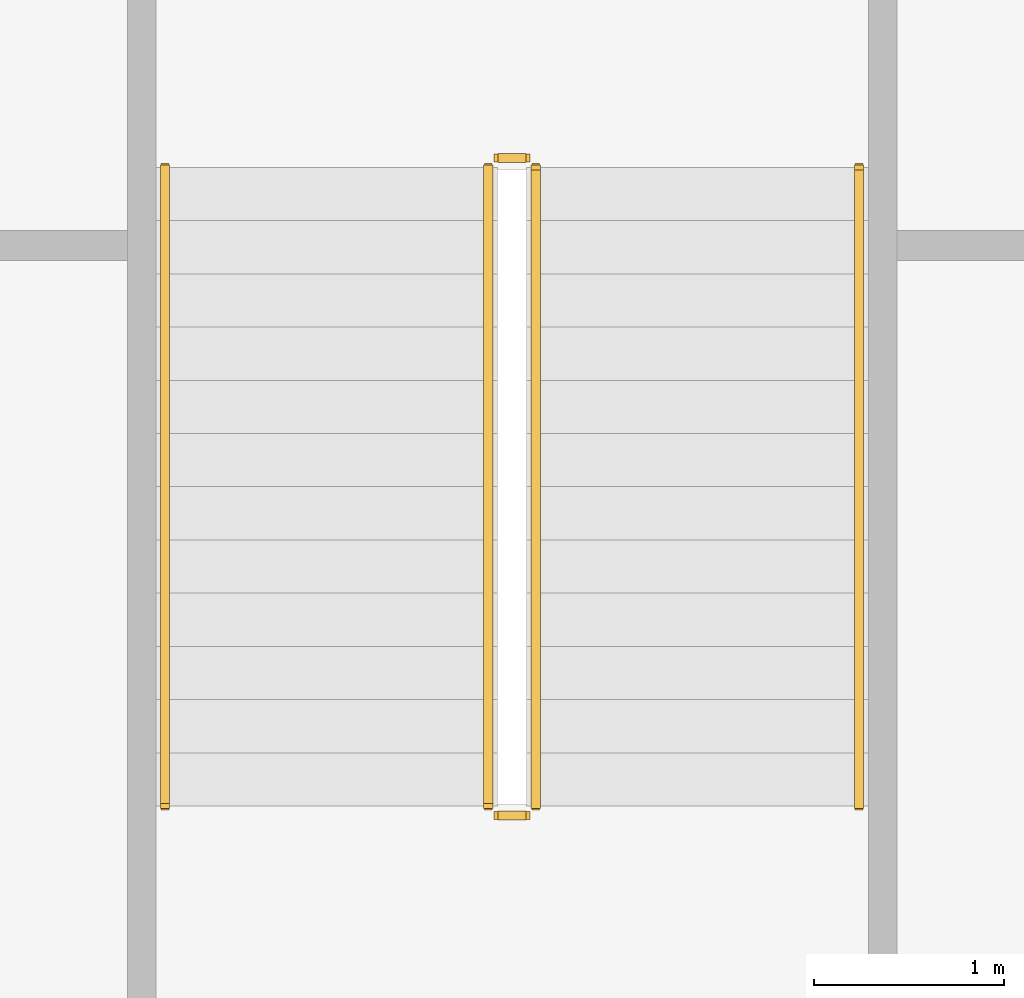
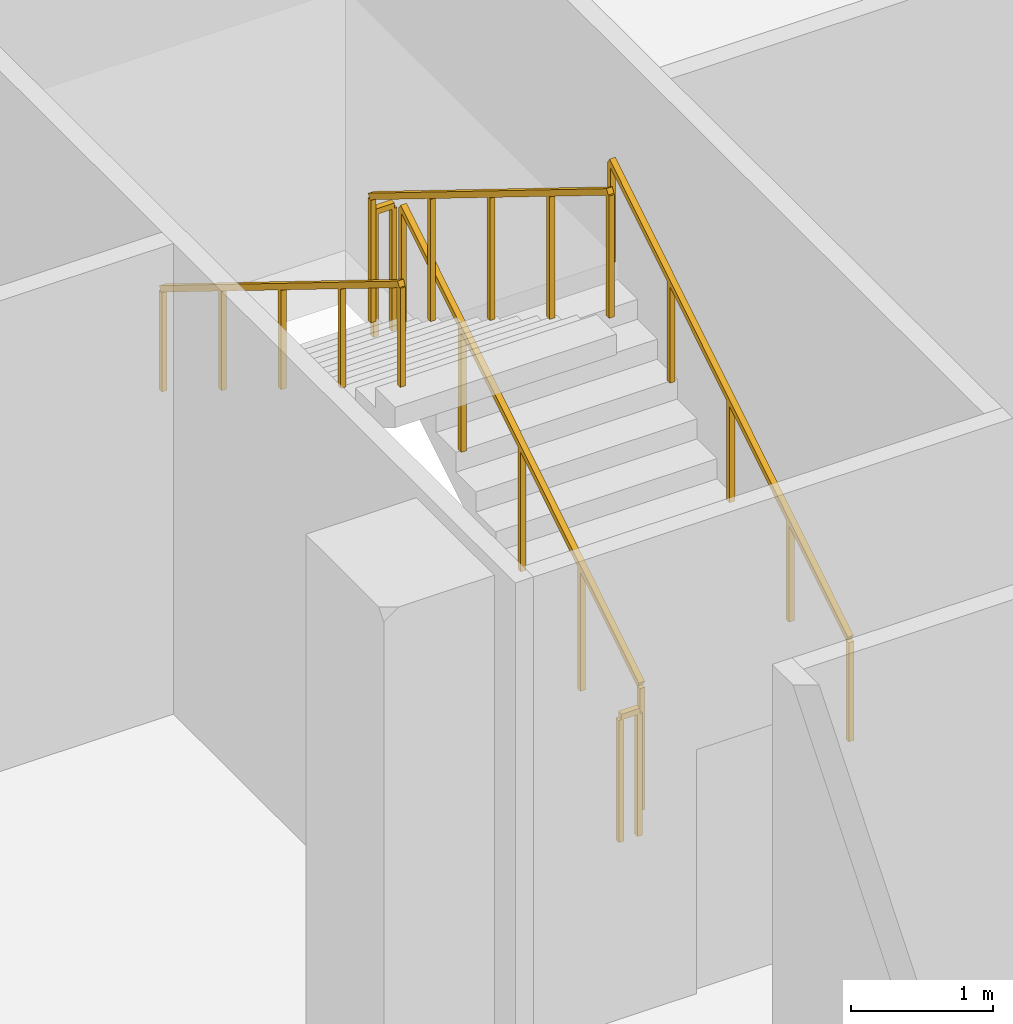
# One storey, part 13 of 16: 6 railings.
"""IFC4 building model written with IfcOpenShell, lengths in metres."""

from ifc_helpers import new_model, si_unit, direction, frame, origin, origin_2d, place, context, subcontext, project, spatial, rectangle, extrude, material, type_object, element, save


model = new_model("IFC4")

# Units and contexts
model_context = context("Model", 3, precision=1e-05, world=origin(), true_north=direction((0.0, 1.0)))
body_context = subcontext(model_context, "Body", "Model", "MODEL_VIEW")
ifc_project = project(units=[si_unit("LENGTHUNIT", "METRE"), si_unit("AREAUNIT", "SQUARE_METRE"), si_unit("VOLUMEUNIT", "CUBIC_METRE"), si_unit("PLANEANGLEUNIT", "RADIAN"), si_unit("MASSUNIT", "GRAM", prefix="KILO")], contexts=[model_context])

# Site, building, storey
site_placement = place(None, origin())
site = spatial("IfcSite", under=ifc_project, at=site_placement, CompositionType="ELEMENT")
building_placement = place(site_placement, origin())
building = spatial("IfcBuilding", under=site, at=building_placement, Name="Alderwake Tower", CompositionType="ELEMENT")
storey_placement = place(building_placement, frame((0.0, 0.0, 18.5)))
storey = spatial("IfcBuildingStorey", under=building, at=storey_placement, Name="L03", CompositionType="ELEMENT", Elevation=18.5)

# Railings
ifc_material_1 = material(Name="Stainless steel guard", Category="steel")
railing_type_1 = type_object("IfcRailingType", Name="Stair guard 1100", PredefinedType="GUARDRAIL", material=ifc_material_1)
railing_1_placement = place(storey_placement, frame((67.0, 25.800048828125, 0.173095703125)))
element("IfcRailing", 1, at=railing_1_placement, inside=storey, type_object=railing_type_1, Name="L03 ST-P4 stair guard 1", PredefinedType="GUARDRAIL", context=body_context, shape_type="SweptSolid", body=[
    extrude(rectangle(XDim=0.048095703125, YDim=0.048095703125, at=origin_2d()), frame((0.0, 0.0, 1.076171875), z_axis=(0.0, 0.850606129759, 0.525803396734), x_axis=(-1.0, 0.0, 0.0)), (0.0, 0.0, 1.0), 3.949951171875),
    extrude(rectangle(XDim=0.0419921875, YDim=0.0419921875, at=origin_2d()), frame((0.0, 0.0, 0.0), z_axis=(0.0, 0.0, 1.0), x_axis=(0.0, 1.0, 0.0)), (0.0, 0.0, 1.0), 1.052001953125),
    extrude(rectangle(XDim=0.0419921875, YDim=0.0419921875, at=origin_2d()), frame((0.0, 0.83984375, 0.519287109375), z_axis=(0.0, 0.0, 1.0), x_axis=(0.0, 1.0, 0.0)), (0.0, 0.0, 1.0), 1.052001953125),
    extrude(rectangle(XDim=0.0419921875, YDim=0.0419921875, at=origin_2d()), frame((0.0, 1.679931640625, 1.03857421875), z_axis=(0.0, 0.0, 1.0), x_axis=(0.0, 1.0, 0.0)), (0.0, 0.0, 1.0), 1.052001953125),
    extrude(rectangle(XDim=0.0419921875, YDim=0.0419921875, at=origin_2d()), frame((0.0, 2.52001953125, 1.5576171875), z_axis=(0.0, 0.0, 1.0), x_axis=(0.0, 1.0, 0.0)), (0.0, 0.0, 1.0), 1.052001953125),
    extrude(rectangle(XDim=0.0419921875, YDim=0.0419921875, at=origin_2d()), frame((0.0, 3.35986328125, 2.076904296875), z_axis=(0.0, 0.0, 1.0), x_axis=(0.0, 1.0, 0.0)), (0.0, 0.0, 1.0), 1.052001953125),
])
railing_2_placement = place(storey_placement, frame((66.949951171875, 29.2099609375, 2.25)))
element("IfcRailing", 2, at=railing_2_placement, inside=storey, type_object=railing_type_1, Name="L03 ST-P4 stair guard 2", PredefinedType="GUARDRAIL", context=body_context, shape_type="SweptSolid", body=[
    extrude(rectangle(XDim=0.048095703125, YDim=0.048095703125, at=origin_2d()), frame((0.0, 0.0, 1.076171875), z_axis=(-1.0, 0.0, 0.0), x_axis=(0.0, -1.0, 0.0)), (0.0, 0.0, 1.0), 0.14990234375),
    extrude(rectangle(XDim=0.0419921875, YDim=0.0419921875, at=origin_2d()), frame((0.0, 0.0, 0.0), z_axis=(0.0, 0.0, 1.0), x_axis=(-1.0, 0.0, 0.0)), (0.0, 0.0, 1.0), 1.052001953125),
    extrude(rectangle(XDim=0.0419921875, YDim=0.0419921875, at=origin_2d()), frame((-0.14990234375, 0.0, 0.0), z_axis=(0.0, 0.0, 1.0), x_axis=(-1.0, 0.0, 0.0)), (0.0, 0.0, 1.0), 1.052001953125),
])
railing_3_placement = place(storey_placement, frame((66.75, 29.159912109375, 2.423095703125)))
element("IfcRailing", 3, at=railing_3_placement, inside=storey, type_object=railing_type_1, Name="L03 ST-P4 stair guard 3", PredefinedType="GUARDRAIL", context=body_context, shape_type="SweptSolid", body=[
    extrude(rectangle(XDim=0.048095703125, YDim=0.048095703125, at=origin_2d()), frame((0.0, 0.0, 1.076171875), z_axis=(0.0, -0.850606129759, 0.525803396734), x_axis=(1.0, 0.0, 0.0)), (0.0, 0.0, 1.0), 3.949951171875),
    extrude(rectangle(XDim=0.0419921875, YDim=0.0419921875, at=origin_2d()), frame((0.0, 0.0, 0.0), z_axis=(0.0, 0.0, 1.0), x_axis=(0.0, -1.0, 0.0)), (0.0, 0.0, 1.0), 1.052001953125),
    extrude(rectangle(XDim=0.0419921875, YDim=0.0419921875, at=origin_2d()), frame((0.0, -0.83984375, 0.519287109375), z_axis=(0.0, 0.0, 1.0), x_axis=(0.0, -1.0, 0.0)), (0.0, 0.0, 1.0), 1.052001953125),
    extrude(rectangle(XDim=0.0419921875, YDim=0.0419921875, at=origin_2d()), frame((0.0, -1.679931640625, 1.03857421875), z_axis=(0.0, 0.0, 1.0), x_axis=(0.0, -1.0, 0.0)), (0.0, 0.0, 1.0), 1.052001953125),
    extrude(rectangle(XDim=0.0419921875, YDim=0.0419921875, at=origin_2d()), frame((0.0, -2.52001953125, 1.5576171875), z_axis=(0.0, 0.0, 1.0), x_axis=(0.0, -1.0, 0.0)), (0.0, 0.0, 1.0), 1.052001953125),
    extrude(rectangle(XDim=0.0419921875, YDim=0.0419921875, at=origin_2d()), frame((0.0, -3.35986328125, 2.076904296875), z_axis=(0.0, 0.0, 1.0), x_axis=(0.0, -1.0, 0.0)), (0.0, 0.0, 1.0), 1.052001953125),
])
railing_4_placement = place(storey_placement, frame((66.949951171875, 25.75, 0.0)))
element("IfcRailing", 4, at=railing_4_placement, inside=storey, type_object=railing_type_1, Name="L03 ST-P4 stair guard 4", PredefinedType="GUARDRAIL", context=body_context, shape_type="SweptSolid", body=[
    extrude(rectangle(XDim=0.048095703125, YDim=0.048095703125, at=origin_2d()), frame((0.0, 0.0, 1.076171875), z_axis=(-1.0, 0.0, 0.0), x_axis=(0.0, -1.0, 0.0)), (0.0, 0.0, 1.0), 0.14990234375),
    extrude(rectangle(XDim=0.0419921875, YDim=0.0419921875, at=origin_2d()), frame((0.0, 0.0, 0.0), z_axis=(0.0, 0.0, 1.0), x_axis=(-1.0, 0.0, 0.0)), (0.0, 0.0, 1.0), 1.052001953125),
    extrude(rectangle(XDim=0.0419921875, YDim=0.0419921875, at=origin_2d()), frame((-0.14990234375, 0.0, 0.0), z_axis=(0.0, 0.0, 1.0), x_axis=(-1.0, 0.0, 0.0)), (0.0, 0.0, 1.0), 1.052001953125),
])
ifc_material_2 = material(Name="Stainless steel handrail", Category="steel")
railing_type_2 = type_object("IfcRailingType", Name="Stair handrail 900", PredefinedType="HANDRAIL", material=ifc_material_2)
railing_5_placement = place(storey_placement, frame((68.699951171875, 25.800048828125, 0.173095703125)))
element("IfcRailing", 5, at=railing_5_placement, inside=storey, type_object=railing_type_2, Name="L03 ST-P4 stair handrail 1", PredefinedType="HANDRAIL", context=body_context, shape_type="SweptSolid", body=[
    extrude(rectangle(XDim=0.048095703125, YDim=0.048095703125, at=origin_2d()), frame((0.0, 0.0, 0.8759765625), z_axis=(0.0, 0.850606129759, 0.525803396734), x_axis=(-1.0, 0.0, 0.0)), (0.0, 0.0, 1.0), 3.949951171875),
    extrude(rectangle(XDim=0.0419921875, YDim=0.0419921875, at=origin_2d()), frame((0.0, 0.0, 0.0), z_axis=(0.0, 0.0, 1.0), x_axis=(0.0, 1.0, 0.0)), (0.0, 0.0, 1.0), 0.851806640625),
    extrude(rectangle(XDim=0.0419921875, YDim=0.0419921875, at=origin_2d()), frame((0.0, 0.83984375, 0.519287109375), z_axis=(0.0, 0.0, 1.0), x_axis=(0.0, 1.0, 0.0)), (0.0, 0.0, 1.0), 0.851806640625),
    extrude(rectangle(XDim=0.0419921875, YDim=0.0419921875, at=origin_2d()), frame((0.0, 1.679931640625, 1.03857421875), z_axis=(0.0, 0.0, 1.0), x_axis=(0.0, 1.0, 0.0)), (0.0, 0.0, 1.0), 0.851806640625),
    extrude(rectangle(XDim=0.0419921875, YDim=0.0419921875, at=origin_2d()), frame((0.0, 2.52001953125, 1.5576171875), z_axis=(0.0, 0.0, 1.0), x_axis=(0.0, 1.0, 0.0)), (0.0, 0.0, 1.0), 0.851806640625),
    extrude(rectangle(XDim=0.0419921875, YDim=0.0419921875, at=origin_2d()), frame((0.0, 3.35986328125, 2.076904296875), z_axis=(0.0, 0.0, 1.0), x_axis=(0.0, 1.0, 0.0)), (0.0, 0.0, 1.0), 0.851806640625),
])
railing_6_placement = place(storey_placement, frame((65.050048828125, 29.159912109375, 2.423095703125)))
element("IfcRailing", 6, at=railing_6_placement, inside=storey, type_object=railing_type_2, Name="L03 ST-P4 stair handrail 2", PredefinedType="HANDRAIL", context=body_context, shape_type="SweptSolid", body=[
    extrude(rectangle(XDim=0.048095703125, YDim=0.048095703125, at=origin_2d()), frame((0.0, 0.0, 0.8759765625), z_axis=(0.0, -0.850606129759, 0.525803396734), x_axis=(1.0, 0.0, 0.0)), (0.0, 0.0, 1.0), 3.949951171875),
    extrude(rectangle(XDim=0.0419921875, YDim=0.0419921875, at=origin_2d()), frame((0.0, 0.0, 0.0), z_axis=(0.0, 0.0, 1.0), x_axis=(0.0, -1.0, 0.0)), (0.0, 0.0, 1.0), 0.851806640625),
    extrude(rectangle(XDim=0.0419921875, YDim=0.0419921875, at=origin_2d()), frame((0.0, -0.83984375, 0.519287109375), z_axis=(0.0, 0.0, 1.0), x_axis=(0.0, -1.0, 0.0)), (0.0, 0.0, 1.0), 0.851806640625),
    extrude(rectangle(XDim=0.0419921875, YDim=0.0419921875, at=origin_2d()), frame((0.0, -1.679931640625, 1.03857421875), z_axis=(0.0, 0.0, 1.0), x_axis=(0.0, -1.0, 0.0)), (0.0, 0.0, 1.0), 0.851806640625),
    extrude(rectangle(XDim=0.0419921875, YDim=0.0419921875, at=origin_2d()), frame((0.0, -2.52001953125, 1.5576171875), z_axis=(0.0, 0.0, 1.0), x_axis=(0.0, -1.0, 0.0)), (0.0, 0.0, 1.0), 0.851806640625),
    extrude(rectangle(XDim=0.0419921875, YDim=0.0419921875, at=origin_2d()), frame((0.0, -3.35986328125, 2.076904296875), z_axis=(0.0, 0.0, 1.0), x_axis=(0.0, -1.0, 0.0)), (0.0, 0.0, 1.0), 0.851806640625),
])

save(model, "model.ifc")
